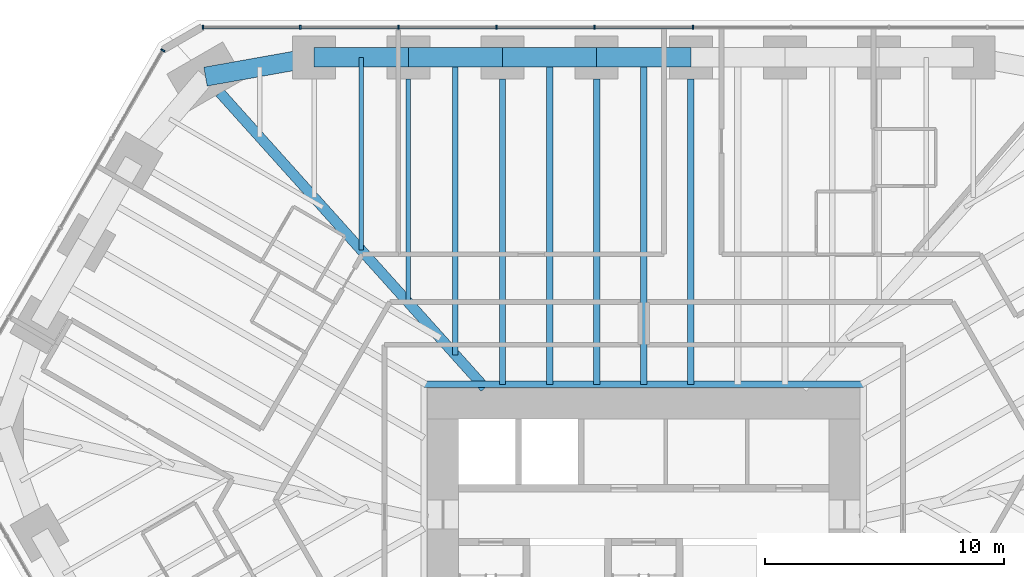
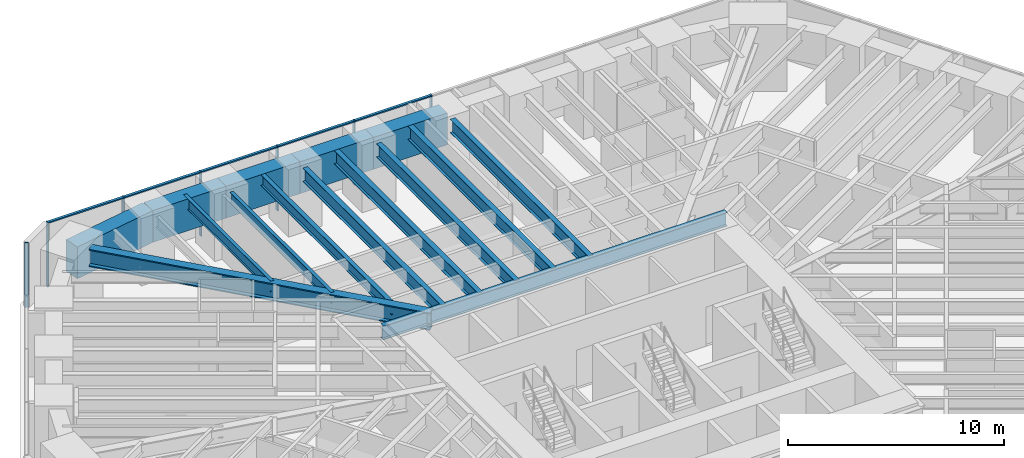
# One storey, part 8 of 16: 15 beams, 12 members, 2 elements without a shape of their own.
"""IFC4 building model written with IfcOpenShell, lengths in metres."""

from ifc_helpers import new_model, si_unit, direction, frame, origin, origin_2d, place, context, subcontext, project, spatial, rectangle, i_section, extrude, material, material_profile, profile_set, type_object, element, aggregate, save


model = new_model("IFC4")

# Units and contexts
model_context = context("Model", 3, precision=1e-05, world=origin(), true_north=direction((0.0, 1.0)))
body_context = subcontext(model_context, "Body", "Model", "MODEL_VIEW")
ifc_project = project(units=[si_unit("LENGTHUNIT", "METRE"), si_unit("AREAUNIT", "SQUARE_METRE"), si_unit("VOLUMEUNIT", "CUBIC_METRE"), si_unit("PLANEANGLEUNIT", "RADIAN"), si_unit("MASSUNIT", "GRAM", prefix="KILO")], contexts=[model_context])

# Site, building, storey
site_placement = place(None, origin())
site = spatial("IfcSite", under=ifc_project, at=site_placement, CompositionType="ELEMENT")
building_placement = place(site_placement, origin())
building = spatial("IfcBuilding", under=site, at=building_placement, Name="Sandreach Pilgrim Tower", CompositionType="ELEMENT")
storey_placement = place(building_placement, frame((0.0, 0.0, 131.0)))
storey = spatial("IfcBuildingStorey", under=building, at=storey_placement, Name="L32", CompositionType="ELEMENT", Elevation=131.0)

# Curtain wall, members
ifc_material_1 = material(Name="Aluminium framed curtain wall", Category="aluminium")
curtain_wall_type = type_object("IfcCurtainWallType", Name="Hotel tower curtain wall", PredefinedType="NOTDEFINED", material=ifc_material_1)
curtain_wall_1_placement = place(storey_placement, origin())
curtain_wall_1 = element("IfcCurtainWall", 1, at=curtain_wall_1_placement, inside=storey, type_object=curtain_wall_type, Name="CW-2 L32 N", PredefinedType="NOTDEFINED")
ifc_material_2 = material(Name="Aluminium extrusion", Category="aluminium")
ifc_material_profile_1 = material_profile(ifc_material_2, rectangle(XDim=0.06494140625, YDim=0.179931640625, at=origin_2d()), Name="CW-2M 65X180")
ifc_profile_set_1 = profile_set([ifc_material_profile_1], Name="Aluminium extrusion")
member_type_1 = type_object("IfcMemberType", Name="CW-2 mullion", PredefinedType="MULLION", material=ifc_profile_set_1)
member_1_placement = place(storey_placement, frame((-18.448974609375, 22.493896484375, 0.0), z_axis=(0.0, 0.0, 1.0), x_axis=(1.0, 0.0, 0.0)))
member_1 = element("IfcMember", 2, at=member_1_placement, type_object=member_type_1, Name="CW-2 mullion 1", PredefinedType="MULLION", context=body_context, shape_type="SweptSolid", body=[
    extrude(rectangle(XDim=0.06494140625, YDim=0.179931640625, at=origin_2d()), origin(), (0.0, 0.0, 1.0), 3.639892578125),
])
member_2_placement = place(storey_placement, frame((-14.37451171875, 22.493896484375, 0.0), z_axis=(0.0, 0.0, 1.0), x_axis=(1.0, 0.0, 0.0)))
member_2 = element("IfcMember", 3, at=member_2_placement, type_object=member_type_1, Name="CW-2 mullion 2", PredefinedType="MULLION", context=body_context, shape_type="SweptSolid", body=[
    extrude(rectangle(XDim=0.06494140625, YDim=0.179931640625, at=origin_2d()), origin(), (0.0, 0.0, 1.0), 3.639892578125),
])
member_3_placement = place(storey_placement, frame((-10.267333984375, 22.493896484375, 0.0), z_axis=(0.0, 0.0, 1.0), x_axis=(1.0, 0.0, 0.0)))
member_3 = element("IfcMember", 4, at=member_3_placement, type_object=member_type_1, Name="CW-2 mullion 3", PredefinedType="MULLION", context=body_context, shape_type="SweptSolid", body=[
    extrude(rectangle(XDim=0.06494140625, YDim=0.179931640625, at=origin_2d()), origin(), (0.0, 0.0, 1.0), 3.639892578125),
])
member_4_placement = place(storey_placement, frame((-6.160400390625, 22.493896484375, 0.0), z_axis=(0.0, 0.0, 1.0), x_axis=(1.0, 0.0, 0.0)))
member_4 = element("IfcMember", 5, at=member_4_placement, type_object=member_type_1, Name="CW-2 mullion 4", PredefinedType="MULLION", context=body_context, shape_type="SweptSolid", body=[
    extrude(rectangle(XDim=0.06494140625, YDim=0.179931640625, at=origin_2d()), origin(), (0.0, 0.0, 1.0), 3.639892578125),
])
member_5_placement = place(storey_placement, frame((-2.053466796875, 22.493896484375, 0.0), z_axis=(0.0, 0.0, 1.0), x_axis=(1.0, 0.0, 0.0)))
member_5 = element("IfcMember", 6, at=member_5_placement, type_object=member_type_1, Name="CW-2 mullion 5", PredefinedType="MULLION", context=body_context, shape_type="SweptSolid", body=[
    extrude(rectangle(XDim=0.06494140625, YDim=0.179931640625, at=origin_2d()), origin(), (0.0, 0.0, 1.0), 3.639892578125),
])
member_6_placement = place(storey_placement, frame((2.053466796875, 22.493896484375, 0.0), z_axis=(0.0, 0.0, 1.0), x_axis=(1.0, 0.0, 0.0)))
member_6 = element("IfcMember", 7, at=member_6_placement, type_object=member_type_1, Name="CW-2 mullion 6", PredefinedType="MULLION", context=body_context, shape_type="SweptSolid", body=[
    extrude(rectangle(XDim=0.06494140625, YDim=0.179931640625, at=origin_2d()), origin(), (0.0, 0.0, 1.0), 3.639892578125),
])

# Curtain wall, member
curtain_wall_2_placement = place(storey_placement, origin())
curtain_wall_2 = element("IfcCurtainWall", 8, at=curtain_wall_2_placement, inside=storey, type_object=curtain_wall_type, Name="CW-2 L32 NW", PredefinedType="NOTDEFINED")
member_7_placement = place(storey_placement, frame((-20.125732421875, 21.525634765625, 0.0), z_axis=(0.0, 0.0, 1.0), x_axis=(0.5, 0.866025403784, 0.0)))
member_7 = element("IfcMember", 9, at=member_7_placement, type_object=member_type_1, Name="CW-2 mullion 5", PredefinedType="MULLION", context=body_context, shape_type="SweptSolid", body=[
    extrude(rectangle(XDim=0.06494140625, YDim=0.179931640625, at=origin_2d()), origin(), (0.0, 0.0, 1.0), 3.639892578125),
])
aggregate(curtain_wall_2, [member_7])

# Member
ifc_material_3 = material(Name="Aluminium extrusion", Category="aluminium")
ifc_material_profile_2 = material_profile(ifc_material_3, rectangle(XDim=0.139892578125, YDim=0.070068359375, at=origin_2d()), Name="CW-2T 140X70")
ifc_profile_set_2 = profile_set([ifc_material_profile_2], Name="Aluminium extrusion")
member_type_2 = type_object("IfcMemberType", Name="CW-2 transom", PredefinedType="USERDEFINED", material=ifc_profile_set_2)
member_8_placement = place(storey_placement, frame((-18.416259765625, 22.493896484375, 3.60498046875), z_axis=(1.0, 0.0, 0.0), x_axis=(0.0, 1.0, 0.0)))
member_8 = element("IfcMember", 10, at=member_8_placement, type_object=member_type_2, Name="CW-2 head transom 1", ObjectType="TRANSOM", PredefinedType="USERDEFINED", context=body_context, shape_type="SweptSolid", body=[
    extrude(rectangle(XDim=0.139892578125, YDim=0.070068359375, at=origin_2d()), origin(), (0.0, 0.0, 1.0), 4.00927734375),
])

member_9_placement = place(storey_placement, frame((-14.341796875, 22.493896484375, 3.60498046875), z_axis=(1.0, 0.0, 0.0), x_axis=(0.0, 1.0, 0.0)))
member_9 = element("IfcMember", 11, at=member_9_placement, type_object=member_type_2, Name="CW-2 head transom 2", ObjectType="TRANSOM", PredefinedType="USERDEFINED", context=body_context, shape_type="SweptSolid", body=[
    extrude(rectangle(XDim=0.139892578125, YDim=0.070068359375, at=origin_2d()), origin(), (0.0, 0.0, 1.0), 4.041748046875),
])

member_10_placement = place(storey_placement, frame((-10.23486328125, 22.493896484375, 3.60498046875), z_axis=(1.0, 0.0, 0.0), x_axis=(0.0, 1.0, 0.0)))
member_10 = element("IfcMember", 12, at=member_10_placement, type_object=member_type_2, Name="CW-2 head transom 3", ObjectType="TRANSOM", PredefinedType="USERDEFINED", context=body_context, shape_type="SweptSolid", body=[
    extrude(rectangle(XDim=0.139892578125, YDim=0.070068359375, at=origin_2d()), origin(), (0.0, 0.0, 1.0), 4.0419921875),
])

member_11_placement = place(storey_placement, frame((-6.1279296875, 22.493896484375, 3.60498046875), z_axis=(1.0, 0.0, 0.0), x_axis=(0.0, 1.0, 0.0)))
member_11 = element("IfcMember", 13, at=member_11_placement, type_object=member_type_2, Name="CW-2 head transom 4", ObjectType="TRANSOM", PredefinedType="USERDEFINED", context=body_context, shape_type="SweptSolid", body=[
    extrude(rectangle(XDim=0.139892578125, YDim=0.070068359375, at=origin_2d()), origin(), (0.0, 0.0, 1.0), 4.0419921875),
])

member_12_placement = place(storey_placement, frame((-2.02099609375, 22.493896484375, 3.60498046875), z_axis=(1.0, 0.0, 0.0), x_axis=(0.0, 1.0, 0.0)))
member_12 = element("IfcMember", 14, at=member_12_placement, type_object=member_type_2, Name="CW-2 head transom 5", ObjectType="TRANSOM", PredefinedType="USERDEFINED", context=body_context, shape_type="SweptSolid", body=[
    extrude(rectangle(XDim=0.139892578125, YDim=0.070068359375, at=origin_2d()), origin(), (0.0, 0.0, 1.0), 4.0419921875),
])

aggregate(curtain_wall_1, [member_1, member_2, member_3, member_4, member_5, member_6, member_8, member_9, member_10, member_11, member_12])

# Beams
ifc_material_4 = material(Name="Steel ASTM A992 Grade 50", Category="steel")
ifc_material_profile_3 = material_profile(ifc_material_4, i_section(OverallWidth=0.2666015625, OverallDepth=0.77978515625, WebThickness=0.0166015625, FlangeThickness=0.030029296875, at=origin_2d()), Name="W30X148")
ifc_profile_set_3 = profile_set([ifc_material_profile_3], Name="Steel ASTM A992 Grade 50")
beam_type_1 = type_object("IfcBeamType", Name="Core edge beam W30X148", PredefinedType="BEAM", material=ifc_profile_set_3)
beam_1_placement = place(storey_placement, frame((-9.193359375, 7.54345703125, 3.25), z_axis=(1.0, 0.0, 0.0), x_axis=(0.0, 1.0, 0.0)))
element("IfcBeam", 15, at=beam_1_placement, inside=storey, type_object=beam_type_1, Name="BM L32 CEN", PredefinedType="BEAM", context=body_context, shape_type="SweptSolid", body=[
    extrude(i_section(OverallWidth=0.2666015625, OverallDepth=0.77978515625, WebThickness=0.0166015625, FlangeThickness=0.030029296875, at=origin_2d()), origin(), (0.0, 0.0, 1.0), 18.38671875),
])
ifc_material_5 = material(Name="Steel ASTM A992 Grade 50", Category="steel")
ifc_material_profile_4 = material_profile(ifc_material_5, i_section(OverallWidth=0.431884765625, OverallDepth=0.988037109375, WebThickness=0.034423828125, FlangeThickness=0.06201171875, at=origin_2d()), Name="W36X441")
ifc_profile_set_4 = profile_set([ifc_material_profile_4], Name="Steel ASTM A992 Grade 50")
beam_type_2 = type_object("IfcBeamType", Name="Corner girder W36X441", PredefinedType="BEAM", material=ifc_profile_set_4)
beam_2_placement = place(storey_placement, frame((-17.738037109375, 19.754150390625, 3.14599609375), z_axis=(0.66811374471, -0.74405915365, 0.0), x_axis=(0.74405915365, 0.66811374471, 0.0)))
element("IfcBeam", 16, at=beam_2_placement, inside=storey, type_object=beam_type_2, Name="BM L32 CG39", PredefinedType="BEAM", context=body_context, shape_type="SweptSolid", body=[
    extrude(i_section(OverallWidth=0.431884765625, OverallDepth=0.988037109375, WebThickness=0.034423828125, FlangeThickness=0.06201171875, at=origin_2d()), origin(), (0.0, 0.0, 1.0), 16.603759765625),
])
ifc_material_6 = material(Name="Steel ASTM A992 Grade 50", Category="steel")
ifc_material_profile_5 = material_profile(ifc_material_6, i_section(OverallWidth=0.1787109375, OverallDepth=0.60205078125, WebThickness=0.010986328125, FlangeThickness=0.014892578125, at=origin_2d()), Name="W24X62")
ifc_profile_set_5 = profile_set([ifc_material_profile_5], Name="Steel ASTM A992 Grade 50")
beam_type_3 = type_object("IfcBeamType", Name="Floor beam W24X62", PredefinedType="BEAM", material=ifc_profile_set_5)
beam_3_placement = place(storey_placement, frame((-9.849853515625, 20.333740234375, 3.339111328125), z_axis=(0.0, -1.0, 0.0), x_axis=(1.0, 0.0, 0.0)))
element("IfcBeam", 17, at=beam_3_placement, inside=storey, type_object=beam_type_3, Name="BM L32 F02", PredefinedType="BEAM", context=body_context, shape_type="SweptSolid", body=[
    extrude(i_section(OverallWidth=0.1787109375, OverallDepth=0.60205078125, WebThickness=0.010986328125, FlangeThickness=0.014892578125, at=origin_2d()), origin(), (0.0, 0.0, 1.0), 9.3642578125),
])
beam_4_placement = place(storey_placement, frame((-11.81982421875, 21.23388671875, 3.339111328125), z_axis=(0.0, -1.0, 0.0), x_axis=(1.0, 0.0, 0.0)))
element("IfcBeam", 18, at=beam_4_placement, inside=storey, type_object=beam_type_3, Name="BM L32 FM01", PredefinedType="BEAM", context=body_context, shape_type="SweptSolid", body=[
    extrude(i_section(OverallWidth=0.1787109375, OverallDepth=0.60205078125, WebThickness=0.010986328125, FlangeThickness=0.014892578125, at=origin_2d()), origin(), (0.0, 0.0, 1.0), 8.070556640625),
])
ifc_material_7 = material(Name="Steel ASTM A992 Grade 50", Category="steel")
ifc_material_profile_6 = material_profile(ifc_material_7, i_section(OverallWidth=0.23046875, OverallDepth=0.6171875, WebThickness=0.01318359375, FlangeThickness=0.022216796875, at=origin_2d()), Name="W24X94")
ifc_profile_set_6 = profile_set([ifc_material_profile_6], Name="Steel ASTM A992 Grade 50")
beam_type_4 = type_object("IfcBeamType", Name="Floor beam W24X94", PredefinedType="BEAM", material=ifc_profile_set_6)
beam_5_placement = place(storey_placement, frame((-7.8798828125, 21.23388671875, 3.331298828125), z_axis=(0.0, -1.0, 0.0), x_axis=(1.0, 0.0, 0.0)))
element("IfcBeam", 19, at=beam_5_placement, inside=storey, type_object=beam_type_4, Name="BM L32 FM02", PredefinedType="BEAM", context=body_context, shape_type="SweptSolid", body=[
    extrude(i_section(OverallWidth=0.23046875, OverallDepth=0.6171875, WebThickness=0.01318359375, FlangeThickness=0.022216796875, at=origin_2d()), origin(), (0.0, 0.0, 1.0), 12.458251953125),
])
ifc_material_8 = material(Name="Steel ASTM A992 Grade 50", Category="steel")
ifc_material_profile_7 = material_profile(ifc_material_8, i_section(OverallWidth=0.2666015625, OverallDepth=0.761962890625, WebThickness=0.014404296875, FlangeThickness=0.021484375, at=origin_2d()), Name="W30X116")
ifc_profile_set_7 = profile_set([ifc_material_profile_7], Name="Steel ASTM A992 Grade 50")
beam_type_5 = type_object("IfcBeamType", Name="Floor beam W30X116", PredefinedType="BEAM", material=ifc_profile_set_7)
for number, where, z_axis, x_axis, name in (
    (20, (-5.909912109375, 20.333740234375, 3.259033203125), (0.0, -1.0, 0.0), (1.0, 0.0, 0.0), "BM L32 F03"),
    (21, (-1.969970703125, 20.333740234375, 3.259033203125), (0.0, -1.0, 0.0), (1.0, 0.0, 0.0), "BM L32 F04"),
    (22, (1.969970703125, 20.333740234375, 3.259033203125), (0.0, -1.0, 0.0), (1.0, 0.0, 0.0), "BM L32 F05"),
):
    element("IfcBeam", number, at=place(storey_placement, frame(where, z_axis=z_axis, x_axis=x_axis)), inside=storey, type_object=beam_type_5, Name=name, PredefinedType="BEAM", context=body_context, shape_type="SweptSolid", body=[
        extrude(i_section(OverallWidth=0.2666015625, OverallDepth=0.761962890625, WebThickness=0.014404296875, FlangeThickness=0.021484375, at=origin_2d()), origin(), (0.0, 0.0, 1.0), 12.790283203125),
    ])
for number, where, z_axis, x_axis, name in (
    (23, (-3.93994140625, 21.23388671875, 3.259033203125), (0.0, -1.0, 0.0), (1.0, 0.0, 0.0), "BM L32 FM03"),
    (24, (0.0, 21.23388671875, 3.259033203125), (0.0, -1.0, 0.0), (1.0, 0.0, 0.0), "BM L32 FM04"),
):
    element("IfcBeam", number, at=place(storey_placement, frame(where, z_axis=z_axis, x_axis=x_axis)), inside=storey, type_object=beam_type_5, Name=name, PredefinedType="BEAM", context=body_context, shape_type="SweptSolid", body=[
        extrude(i_section(OverallWidth=0.2666015625, OverallDepth=0.761962890625, WebThickness=0.014404296875, FlangeThickness=0.021484375, at=origin_2d()), origin(), (0.0, 0.0, 1.0), 13.6904296875),
    ])
ifc_material_9 = material(Name="Concrete 10000 psi", Category="concrete")
ifc_material_profile_8 = material_profile(ifc_material_9, rectangle(XDim=0.800048828125, YDim=1.800048828125, at=origin_2d()), Name="RC800X1800")
ifc_profile_set_8 = profile_set([ifc_material_profile_8], Name="Concrete 10000 psi")
beam_type_6 = type_object("IfcBeamType", Name="Spandrel beam RC800X1800", PredefinedType="SPANDREL", material=ifc_profile_set_8)
for number, where, z_axis, x_axis, name in (
    (25, (-13.789794921875, 21.23388671875, 2.739990234375), (1.0, 0.0, 0.0), (0.0, 1.0, 0.0), "BM L32 SP01"),
    (26, (-9.849853515625, 21.23388671875, 2.739990234375), (1.0, 0.0, 0.0), (0.0, 1.0, 0.0), "BM L32 SP02"),
    (27, (-5.909912109375, 21.23388671875, 2.739990234375), (1.0, 0.0, 0.0), (0.0, 1.0, 0.0), "BM L32 SP03"),
    (28, (-1.969970703125, 21.23388671875, 2.739990234375), (1.0, 0.0, 0.0), (0.0, 1.0, 0.0), "BM L32 SP04"),
):
    element("IfcBeam", number, at=place(storey_placement, frame(where, z_axis=z_axis, x_axis=x_axis)), inside=storey, type_object=beam_type_6, Name=name, PredefinedType="SPANDREL", context=body_context, shape_type="SweptSolid", body=[
        extrude(rectangle(XDim=0.800048828125, YDim=1.800048828125, at=origin_2d()), origin(), (0.0, 0.0, 1.0), 3.93994140625),
    ])
beam_6_placement = place(storey_placement, frame((-18.33935546875, 20.423828125, 2.739990234375), z_axis=(0.984515938739, 0.175295083699, 0.0), x_axis=(-0.175295083699, 0.984515938739, 0.0)))
element("IfcBeam", 29, at=beam_6_placement, inside=storey, type_object=beam_type_6, Name="BM L32 SP39", PredefinedType="SPANDREL", context=body_context, shape_type="SweptSolid", body=[
    extrude(rectangle(XDim=0.800048828125, YDim=1.800048828125, at=origin_2d()), origin(), (0.0, 0.0, 1.0), 4.62109375),
])

save(model, "model.ifc")
